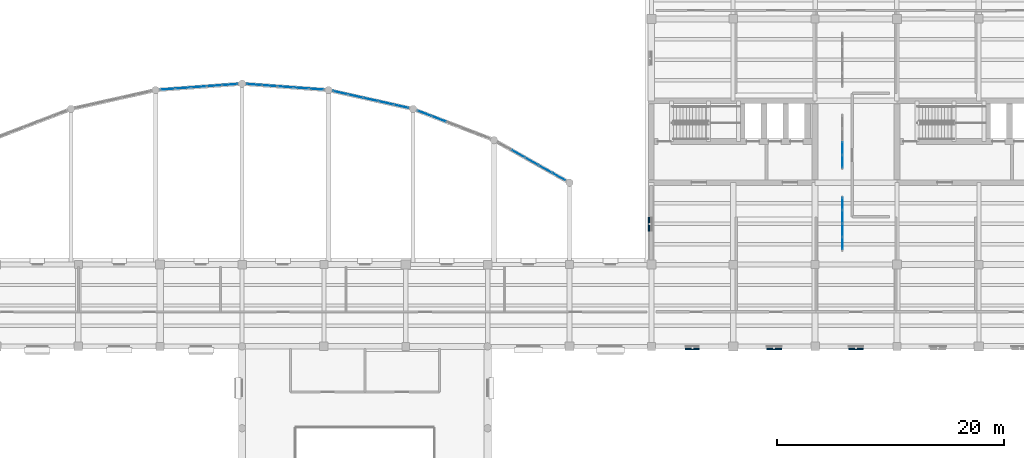
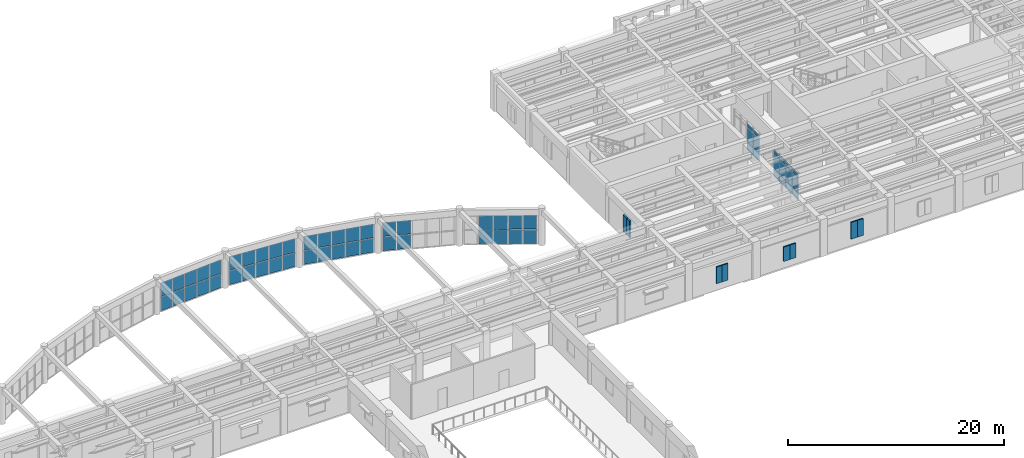
# One storey, part 42 of 76: 68 plates, 7 elements without a shape of their own.
"""IFC4 building model written with IfcOpenShell, lengths in metres."""

from ifc_helpers import new_model, si_unit, direction, frame, origin, origin_2d, place, context, subcontext, project, spatial, rectangle, extrude, material, layer, layer_set, type_object, element, aggregate, save


model = new_model("IFC4")

# Units and contexts
model_context = context("Model", 3, precision=1e-05, world=origin(), true_north=direction((0.0, 1.0)))
body_context = subcontext(model_context, "Body", "Model", "MODEL_VIEW")
ifc_project = project(units=[si_unit("LENGTHUNIT", "METRE"), si_unit("AREAUNIT", "SQUARE_METRE"), si_unit("VOLUMEUNIT", "CUBIC_METRE"), si_unit("PLANEANGLEUNIT", "RADIAN"), si_unit("MASSUNIT", "GRAM", prefix="KILO")], contexts=[model_context])

# Site, building, storey
site_placement = place(None, origin())
site = spatial("IfcSite", under=ifc_project, at=site_placement, CompositionType="ELEMENT")
building_placement = place(site_placement, origin())
building = spatial("IfcBuilding", under=site, at=building_placement, Name="Mithqara Police Headquarters", CompositionType="ELEMENT")
storey_placement = place(building_placement, frame((0.0, 0.0, 5.39990234375)))
storey = spatial("IfcBuildingStorey", under=building, at=storey_placement, Name="L01", CompositionType="ELEMENT", Elevation=5.39990234375)

# Curtain wall, plates
ifc_material_1 = material(Name="Bronze anodised aluminium 6063-T6", Category="aluminium")
curtain_wall_type_1 = type_object("IfcCurtainWallType", Name="CURTAIN WALL 6874X3300", PredefinedType="USERDEFINED", material=ifc_material_1)
curtain_wall_1_placement = place(storey_placement, origin())
curtain_wall_1 = element("IfcCurtainWall", 1, at=curtain_wall_1_placement, inside=storey, type_object=curtain_wall_type_1, Name="L01 Unitised Glazing CW-13 (CW-ARC-L01-03-0)", ObjectType="UNITISED GLAZING", PredefinedType="USERDEFINED")
ifc_material_2 = material(Name="Spectrally selective double low-e glass", Category="glass")
ifc_layer_1 = layer(ifc_material_2, 0.028076171875, Name="Spectrally selective double low-e glass")
ifc_layer_set_1 = layer_set([ifc_layer_1], Name="Spectrally selective double low-e glass")
plate_type_1 = type_object("IfcPlateType", Name="CWPANEL GLASS28", PredefinedType="CURTAIN_PANEL", material=ifc_layer_set_1)
plate_1_placement = place(storey_placement, frame((66.072265625, 101.223876953125, 0.06494140625), z_axis=(0.0, 0.0, 1.0), x_axis=(0.997309862064, 0.073301016565, 0.0)))
plate_1 = element("IfcPlate", 2, at=plate_1_placement, type_object=plate_type_1, Name="CW-13 panel 1.1", PredefinedType="CURTAIN_PANEL", context=body_context, shape_type="SweptSolid", body=[
    extrude(rectangle(XDim=1.27734375, YDim=0.028076171875, at=origin_2d()), origin(), (0.0, 0.0, 1.0), 1.552490234375),
])
plate_2_placement = place(storey_placement, frame((66.072265625, 101.223876953125, 1.6826171875), z_axis=(0.0, 0.0, 1.0), x_axis=(0.997309862064, 0.073301016565, 0.0)))
plate_2 = element("IfcPlate", 3, at=plate_2_placement, type_object=plate_type_1, Name="CW-13 panel 1.2", PredefinedType="CURTAIN_PANEL", context=body_context, shape_type="SweptSolid", body=[
    extrude(rectangle(XDim=1.27734375, YDim=0.028076171875, at=origin_2d()), origin(), (0.0, 0.0, 1.0), 1.552490234375),
])
plate_3_placement = place(storey_placement, frame((67.42724609375, 101.323486328125, 0.06494140625), z_axis=(0.0, 0.0, 1.0), x_axis=(0.997309862064, 0.073301016565, 0.0)))
plate_3 = element("IfcPlate", 4, at=plate_3_placement, type_object=plate_type_1, Name="CW-13 panel 2.1", PredefinedType="CURTAIN_PANEL", context=body_context, shape_type="SweptSolid", body=[
    extrude(rectangle(XDim=1.309814453125, YDim=0.028076171875, at=origin_2d()), origin(), (0.0, 0.0, 1.0), 1.552490234375),
])
plate_4_placement = place(storey_placement, frame((67.42724609375, 101.323486328125, 1.6826171875), z_axis=(0.0, 0.0, 1.0), x_axis=(0.997309862064, 0.073301016565, 0.0)))
plate_4 = element("IfcPlate", 5, at=plate_4_placement, type_object=plate_type_1, Name="CW-13 panel 2.2", PredefinedType="CURTAIN_PANEL", context=body_context, shape_type="SweptSolid", body=[
    extrude(rectangle(XDim=1.309814453125, YDim=0.028076171875, at=origin_2d()), origin(), (0.0, 0.0, 1.0), 1.552490234375),
])
plate_5_placement = place(storey_placement, frame((68.79833984375, 101.42431640625, 0.06494140625), z_axis=(0.0, 0.0, 1.0), x_axis=(0.997309862064, 0.073301016565, 0.0)))
plate_5 = element("IfcPlate", 6, at=plate_5_placement, type_object=plate_type_1, Name="CW-13 panel 3.1", PredefinedType="CURTAIN_PANEL", context=body_context, shape_type="SweptSolid", body=[
    extrude(rectangle(XDim=1.309814453125, YDim=0.028076171875, at=origin_2d()), origin(), (0.0, 0.0, 1.0), 1.552490234375),
])
plate_6_placement = place(storey_placement, frame((68.79833984375, 101.42431640625, 1.6826171875), z_axis=(0.0, 0.0, 1.0), x_axis=(0.997309862064, 0.073301016565, 0.0)))
plate_6 = element("IfcPlate", 7, at=plate_6_placement, type_object=plate_type_1, Name="CW-13 panel 3.2", PredefinedType="CURTAIN_PANEL", context=body_context, shape_type="SweptSolid", body=[
    extrude(rectangle(XDim=1.309814453125, YDim=0.028076171875, at=origin_2d()), origin(), (0.0, 0.0, 1.0), 1.552490234375),
])
plate_7_placement = place(storey_placement, frame((70.16943359375, 101.525146484375, 0.06494140625), z_axis=(0.0, 0.0, 1.0), x_axis=(0.997309862064, 0.073301016565, 0.0)))
plate_7 = element("IfcPlate", 8, at=plate_7_placement, type_object=plate_type_1, Name="CW-13 panel 4.1", PredefinedType="CURTAIN_PANEL", context=body_context, shape_type="SweptSolid", body=[
    extrude(rectangle(XDim=1.309814453125, YDim=0.028076171875, at=origin_2d()), origin(), (0.0, 0.0, 1.0), 1.552490234375),
])
plate_8_placement = place(storey_placement, frame((70.16943359375, 101.525146484375, 1.6826171875), z_axis=(0.0, 0.0, 1.0), x_axis=(0.997309862064, 0.073301016565, 0.0)))
plate_8 = element("IfcPlate", 9, at=plate_8_placement, type_object=plate_type_1, Name="CW-13 panel 4.2", PredefinedType="CURTAIN_PANEL", context=body_context, shape_type="SweptSolid", body=[
    extrude(rectangle(XDim=1.309814453125, YDim=0.028076171875, at=origin_2d()), origin(), (0.0, 0.0, 1.0), 1.552490234375),
])
plate_9_placement = place(storey_placement, frame((71.5244140625, 101.624755859375, 0.06494140625), z_axis=(0.0, 0.0, 1.0), x_axis=(0.997309862064, 0.073301016565, 0.0)))
plate_9 = element("IfcPlate", 10, at=plate_9_placement, type_object=plate_type_1, Name="CW-13 panel 5.1", PredefinedType="CURTAIN_PANEL", context=body_context, shape_type="SweptSolid", body=[
    extrude(rectangle(XDim=1.27734375, YDim=0.028076171875, at=origin_2d()), origin(), (0.0, 0.0, 1.0), 1.552490234375),
])
plate_10_placement = place(storey_placement, frame((71.5244140625, 101.624755859375, 1.6826171875), z_axis=(0.0, 0.0, 1.0), x_axis=(0.997309862064, 0.073301016565, 0.0)))
plate_10 = element("IfcPlate", 11, at=plate_10_placement, type_object=plate_type_1, Name="CW-13 panel 5.2", PredefinedType="CURTAIN_PANEL", context=body_context, shape_type="SweptSolid", body=[
    extrude(rectangle(XDim=1.27734375, YDim=0.028076171875, at=origin_2d()), origin(), (0.0, 0.0, 1.0), 1.552490234375),
])
aggregate(curtain_wall_1, [plate_1, plate_2, plate_3, plate_4, plate_5, plate_6, plate_7, plate_8, plate_9, plate_10])

curtain_wall_2_placement = place(storey_placement, origin())
curtain_wall_2 = element("IfcCurtainWall", 12, at=curtain_wall_2_placement, inside=storey, type_object=curtain_wall_type_1, Name="L01 Unitised Glazing CW-13 (CW-ARC-L01-04-0)", ObjectType="UNITISED GLAZING", PredefinedType="USERDEFINED")
plate_11_placement = place(storey_placement, frame((73.675537109375, 101.624755859375, 0.06494140625), z_axis=(0.0, 0.0, 1.0), x_axis=(0.997309862064, -0.073301016565, 0.0)))
plate_11 = element("IfcPlate", 13, at=plate_11_placement, type_object=plate_type_1, Name="CW-13 panel 1.1", PredefinedType="CURTAIN_PANEL", context=body_context, shape_type="SweptSolid", body=[
    extrude(rectangle(XDim=1.27734375, YDim=0.028076171875, at=origin_2d()), origin(), (0.0, 0.0, 1.0), 1.552490234375),
])
plate_12_placement = place(storey_placement, frame((73.675537109375, 101.624755859375, 1.6826171875), z_axis=(0.0, 0.0, 1.0), x_axis=(0.997309862064, -0.073301016565, 0.0)))
plate_12 = element("IfcPlate", 14, at=plate_12_placement, type_object=plate_type_1, Name="CW-13 panel 1.2", PredefinedType="CURTAIN_PANEL", context=body_context, shape_type="SweptSolid", body=[
    extrude(rectangle(XDim=1.27734375, YDim=0.028076171875, at=origin_2d()), origin(), (0.0, 0.0, 1.0), 1.552490234375),
])
plate_13_placement = place(storey_placement, frame((75.030517578125, 101.525146484375, 0.06494140625), z_axis=(0.0, 0.0, 1.0), x_axis=(0.997309862064, -0.073301016565, 0.0)))
plate_13 = element("IfcPlate", 15, at=plate_13_placement, type_object=plate_type_1, Name="CW-13 panel 2.1", PredefinedType="CURTAIN_PANEL", context=body_context, shape_type="SweptSolid", body=[
    extrude(rectangle(XDim=1.309814453125, YDim=0.028076171875, at=origin_2d()), origin(), (0.0, 0.0, 1.0), 1.552490234375),
])
plate_14_placement = place(storey_placement, frame((75.030517578125, 101.525146484375, 1.6826171875), z_axis=(0.0, 0.0, 1.0), x_axis=(0.997309862064, -0.073301016565, 0.0)))
plate_14 = element("IfcPlate", 16, at=plate_14_placement, type_object=plate_type_1, Name="CW-13 panel 2.2", PredefinedType="CURTAIN_PANEL", context=body_context, shape_type="SweptSolid", body=[
    extrude(rectangle(XDim=1.309814453125, YDim=0.028076171875, at=origin_2d()), origin(), (0.0, 0.0, 1.0), 1.552490234375),
])
plate_15_placement = place(storey_placement, frame((76.401611328125, 101.42431640625, 0.06494140625), z_axis=(0.0, 0.0, 1.0), x_axis=(0.997309862064, -0.073301016565, 0.0)))
plate_15 = element("IfcPlate", 17, at=plate_15_placement, type_object=plate_type_1, Name="CW-13 panel 3.1", PredefinedType="CURTAIN_PANEL", context=body_context, shape_type="SweptSolid", body=[
    extrude(rectangle(XDim=1.309814453125, YDim=0.028076171875, at=origin_2d()), origin(), (0.0, 0.0, 1.0), 1.552490234375),
])
plate_16_placement = place(storey_placement, frame((76.401611328125, 101.42431640625, 1.6826171875), z_axis=(0.0, 0.0, 1.0), x_axis=(0.997309862064, -0.073301016565, 0.0)))
plate_16 = element("IfcPlate", 18, at=plate_16_placement, type_object=plate_type_1, Name="CW-13 panel 3.2", PredefinedType="CURTAIN_PANEL", context=body_context, shape_type="SweptSolid", body=[
    extrude(rectangle(XDim=1.309814453125, YDim=0.028076171875, at=origin_2d()), origin(), (0.0, 0.0, 1.0), 1.552490234375),
])
plate_17_placement = place(storey_placement, frame((77.77294921875, 101.323486328125, 0.06494140625), z_axis=(0.0, 0.0, 1.0), x_axis=(0.997309862064, -0.073301016565, 0.0)))
plate_17 = element("IfcPlate", 19, at=plate_17_placement, type_object=plate_type_1, Name="CW-13 panel 4.1", PredefinedType="CURTAIN_PANEL", context=body_context, shape_type="SweptSolid", body=[
    extrude(rectangle(XDim=1.309814453125, YDim=0.028076171875, at=origin_2d()), origin(), (0.0, 0.0, 1.0), 1.552490234375),
])
plate_18_placement = place(storey_placement, frame((77.77294921875, 101.323486328125, 1.6826171875), z_axis=(0.0, 0.0, 1.0), x_axis=(0.997309862064, -0.073301016565, 0.0)))
plate_18 = element("IfcPlate", 20, at=plate_18_placement, type_object=plate_type_1, Name="CW-13 panel 4.2", PredefinedType="CURTAIN_PANEL", context=body_context, shape_type="SweptSolid", body=[
    extrude(rectangle(XDim=1.309814453125, YDim=0.028076171875, at=origin_2d()), origin(), (0.0, 0.0, 1.0), 1.552490234375),
])
plate_19_placement = place(storey_placement, frame((79.127685546875, 101.223876953125, 0.06494140625), z_axis=(0.0, 0.0, 1.0), x_axis=(0.997309862064, -0.073301016565, 0.0)))
plate_19 = element("IfcPlate", 21, at=plate_19_placement, type_object=plate_type_1, Name="CW-13 panel 5.1", PredefinedType="CURTAIN_PANEL", context=body_context, shape_type="SweptSolid", body=[
    extrude(rectangle(XDim=1.27734375, YDim=0.028076171875, at=origin_2d()), origin(), (0.0, 0.0, 1.0), 1.552490234375),
])
plate_20_placement = place(storey_placement, frame((79.127685546875, 101.223876953125, 1.6826171875), z_axis=(0.0, 0.0, 1.0), x_axis=(0.997309862064, -0.073301016565, 0.0)))
plate_20 = element("IfcPlate", 22, at=plate_20_placement, type_object=plate_type_1, Name="CW-13 panel 5.2", PredefinedType="CURTAIN_PANEL", context=body_context, shape_type="SweptSolid", body=[
    extrude(rectangle(XDim=1.27734375, YDim=0.028076171875, at=origin_2d()), origin(), (0.0, 0.0, 1.0), 1.552490234375),
])
aggregate(curtain_wall_2, [plate_11, plate_12, plate_13, plate_14, plate_15, plate_16, plate_17, plate_18, plate_19, plate_20])

curtain_wall_type_2 = type_object("IfcCurtainWallType", Name="CURTAIN WALL 6875X3300", PredefinedType="USERDEFINED", material=ifc_material_1)
curtain_wall_3_placement = place(storey_placement, origin())
curtain_wall_3 = element("IfcCurtainWall", 23, at=curtain_wall_3_placement, inside=storey, type_object=curtain_wall_type_2, Name="L01 Unitised Glazing CW-12 (CW-ARC-L01-05-0)", ObjectType="UNITISED GLAZING", PredefinedType="USERDEFINED")
plate_21_placement = place(storey_placement, frame((81.255615234375, 100.909423828125, 0.06494140625), z_axis=(0.0, 0.0, 1.0), x_axis=(0.975872523567, -0.218341058316, 0.0)))
plate_21 = element("IfcPlate", 24, at=plate_21_placement, type_object=plate_type_1, Name="CW-12 panel 1.1", PredefinedType="CURTAIN_PANEL", context=body_context, shape_type="SweptSolid", body=[
    extrude(rectangle(XDim=1.27734375, YDim=0.028076171875, at=origin_2d()), origin(), (0.0, 0.0, 1.0), 1.552490234375),
])
plate_22_placement = place(storey_placement, frame((81.255615234375, 100.909423828125, 1.6826171875), z_axis=(0.0, 0.0, 1.0), x_axis=(0.975872523567, -0.218341058316, 0.0)))
plate_22 = element("IfcPlate", 25, at=plate_22_placement, type_object=plate_type_1, Name="CW-12 panel 1.2", PredefinedType="CURTAIN_PANEL", context=body_context, shape_type="SweptSolid", body=[
    extrude(rectangle(XDim=1.27734375, YDim=0.028076171875, at=origin_2d()), origin(), (0.0, 0.0, 1.0), 1.552490234375),
])
plate_23_placement = place(storey_placement, frame((82.58154296875, 100.61279296875, 0.06494140625), z_axis=(0.0, 0.0, 1.0), x_axis=(0.975872523567, -0.218341058316, 0.0)))
plate_23 = element("IfcPlate", 26, at=plate_23_placement, type_object=plate_type_1, Name="CW-12 panel 2.1", PredefinedType="CURTAIN_PANEL", context=body_context, shape_type="SweptSolid", body=[
    extrude(rectangle(XDim=1.309814453125, YDim=0.028076171875, at=origin_2d()), origin(), (0.0, 0.0, 1.0), 1.552490234375),
])
plate_24_placement = place(storey_placement, frame((82.58154296875, 100.61279296875, 1.6826171875), z_axis=(0.0, 0.0, 1.0), x_axis=(0.975872523567, -0.218341058316, 0.0)))
plate_24 = element("IfcPlate", 27, at=plate_24_placement, type_object=plate_type_1, Name="CW-12 panel 2.2", PredefinedType="CURTAIN_PANEL", context=body_context, shape_type="SweptSolid", body=[
    extrude(rectangle(XDim=1.309814453125, YDim=0.028076171875, at=origin_2d()), origin(), (0.0, 0.0, 1.0), 1.552490234375),
])
plate_25_placement = place(storey_placement, frame((83.92333984375, 100.3125, 0.06494140625), z_axis=(0.0, 0.0, 1.0), x_axis=(0.975872523567, -0.218341058316, 0.0)))
plate_25 = element("IfcPlate", 28, at=plate_25_placement, type_object=plate_type_1, Name="CW-12 panel 3.1", PredefinedType="CURTAIN_PANEL", context=body_context, shape_type="SweptSolid", body=[
    extrude(rectangle(XDim=1.309814453125, YDim=0.028076171875, at=origin_2d()), origin(), (0.0, 0.0, 1.0), 1.552490234375),
])
plate_26_placement = place(storey_placement, frame((83.92333984375, 100.3125, 1.6826171875), z_axis=(0.0, 0.0, 1.0), x_axis=(0.975872523567, -0.218341058316, 0.0)))
plate_26 = element("IfcPlate", 29, at=plate_26_placement, type_object=plate_type_1, Name="CW-12 panel 3.2", PredefinedType="CURTAIN_PANEL", context=body_context, shape_type="SweptSolid", body=[
    extrude(rectangle(XDim=1.309814453125, YDim=0.028076171875, at=origin_2d()), origin(), (0.0, 0.0, 1.0), 1.552490234375),
])
plate_27_placement = place(storey_placement, frame((85.264892578125, 100.012451171875, 0.06494140625), z_axis=(0.0, 0.0, 1.0), x_axis=(0.975872523567, -0.218341058316, 0.0)))
plate_27 = element("IfcPlate", 30, at=plate_27_placement, type_object=plate_type_1, Name="CW-12 panel 4.1", PredefinedType="CURTAIN_PANEL", context=body_context, shape_type="SweptSolid", body=[
    extrude(rectangle(XDim=1.309814453125, YDim=0.028076171875, at=origin_2d()), origin(), (0.0, 0.0, 1.0), 1.552490234375),
])
plate_28_placement = place(storey_placement, frame((85.264892578125, 100.012451171875, 1.6826171875), z_axis=(0.0, 0.0, 1.0), x_axis=(0.975872523567, -0.218341058316, 0.0)))
plate_28 = element("IfcPlate", 31, at=plate_28_placement, type_object=plate_type_1, Name="CW-12 panel 4.2", PredefinedType="CURTAIN_PANEL", context=body_context, shape_type="SweptSolid", body=[
    extrude(rectangle(XDim=1.309814453125, YDim=0.028076171875, at=origin_2d()), origin(), (0.0, 0.0, 1.0), 1.552490234375),
])
plate_29_placement = place(storey_placement, frame((86.5908203125, 99.7158203125, 0.06494140625), z_axis=(0.0, 0.0, 1.0), x_axis=(0.975872523567, -0.218341058316, 0.0)))
plate_29 = element("IfcPlate", 32, at=plate_29_placement, type_object=plate_type_1, Name="CW-12 panel 5.1", PredefinedType="CURTAIN_PANEL", context=body_context, shape_type="SweptSolid", body=[
    extrude(rectangle(XDim=1.27734375, YDim=0.028076171875, at=origin_2d()), origin(), (0.0, 0.0, 1.0), 1.552490234375),
])
plate_30_placement = place(storey_placement, frame((86.5908203125, 99.7158203125, 1.6826171875), z_axis=(0.0, 0.0, 1.0), x_axis=(0.975872523567, -0.218341058316, 0.0)))
plate_30 = element("IfcPlate", 33, at=plate_30_placement, type_object=plate_type_1, Name="CW-12 panel 5.2", PredefinedType="CURTAIN_PANEL", context=body_context, shape_type="SweptSolid", body=[
    extrude(rectangle(XDim=1.27734375, YDim=0.028076171875, at=origin_2d()), origin(), (0.0, 0.0, 1.0), 1.552490234375),
])
aggregate(curtain_wall_3, [plate_21, plate_22, plate_23, plate_24, plate_25, plate_26, plate_27, plate_28, plate_29, plate_30])

curtain_wall_4_placement = place(storey_placement, origin())
curtain_wall_4 = element("IfcCurtainWall", 34, at=curtain_wall_4_placement, inside=storey, type_object=curtain_wall_type_2, Name="L01 Unitised Glazing CW-12 (CW-ARC-L01-06-0)", ObjectType="UNITISED GLAZING", PredefinedType="USERDEFINED")
plate_31_placement = place(storey_placement, frame((88.64990234375, 99.093505859375, 0.06494140625), z_axis=(0.0, 0.0, 1.0), x_axis=(0.933460278765, -0.358680788402, 0.0)))
plate_31 = element("IfcPlate", 35, at=plate_31_placement, type_object=plate_type_1, Name="CW-12 panel 1.1", PredefinedType="CURTAIN_PANEL", context=body_context, shape_type="SweptSolid", body=[
    extrude(rectangle(XDim=1.27734375, YDim=0.028076171875, at=origin_2d()), origin(), (0.0, 0.0, 1.0), 1.552490234375),
])
plate_32_placement = place(storey_placement, frame((88.64990234375, 99.093505859375, 1.6826171875), z_axis=(0.0, 0.0, 1.0), x_axis=(0.933460278765, -0.358680788402, 0.0)))
plate_32 = element("IfcPlate", 36, at=plate_32_placement, type_object=plate_type_1, Name="CW-12 panel 1.2", PredefinedType="CURTAIN_PANEL", context=body_context, shape_type="SweptSolid", body=[
    extrude(rectangle(XDim=1.27734375, YDim=0.028076171875, at=origin_2d()), origin(), (0.0, 0.0, 1.0), 1.552490234375),
])
plate_33_placement = place(storey_placement, frame((89.91796875, 98.606201171875, 0.06494140625), z_axis=(0.0, 0.0, 1.0), x_axis=(0.933460278765, -0.358680788402, 0.0)))
plate_33 = element("IfcPlate", 37, at=plate_33_placement, type_object=plate_type_1, Name="CW-12 panel 2.1", PredefinedType="CURTAIN_PANEL", context=body_context, shape_type="SweptSolid", body=[
    extrude(rectangle(XDim=1.309814453125, YDim=0.028076171875, at=origin_2d()), origin(), (0.0, 0.0, 1.0), 1.552490234375),
])
plate_34_placement = place(storey_placement, frame((89.91796875, 98.606201171875, 1.6826171875), z_axis=(0.0, 0.0, 1.0), x_axis=(0.933460278765, -0.358680788402, 0.0)))
plate_34 = element("IfcPlate", 38, at=plate_34_placement, type_object=plate_type_1, Name="CW-12 panel 2.2", PredefinedType="CURTAIN_PANEL", context=body_context, shape_type="SweptSolid", body=[
    extrude(rectangle(XDim=1.309814453125, YDim=0.028076171875, at=origin_2d()), origin(), (0.0, 0.0, 1.0), 1.552490234375),
])
aggregate(curtain_wall_4, [plate_31, plate_32, plate_33, plate_34])

curtain_wall_5_placement = place(storey_placement, origin())
curtain_wall_5 = element("IfcCurtainWall", 39, at=curtain_wall_5_placement, inside=storey, type_object=curtain_wall_type_2, Name="L01 Unitised Glazing CW-12 (CW-ARC-L01-07-0)", ObjectType="UNITISED GLAZING", PredefinedType="USERDEFINED")
plate_35_placement = place(storey_placement, frame((96.88232421875, 95.54833984375, 0.06494140625), z_axis=(0.0, 0.0, 1.0), x_axis=(0.870985969427, -0.491307888255, 0.0)))
plate_35 = element("IfcPlate", 40, at=plate_35_placement, type_object=plate_type_1, Name="CW-12 panel 2.1", PredefinedType="CURTAIN_PANEL", context=body_context, shape_type="SweptSolid", body=[
    extrude(rectangle(XDim=1.309814453125, YDim=0.028076171875, at=origin_2d()), origin(), (0.0, 0.0, 1.0), 1.552490234375),
])
plate_36_placement = place(storey_placement, frame((96.88232421875, 95.54833984375, 1.6826171875), z_axis=(0.0, 0.0, 1.0), x_axis=(0.870985969427, -0.491307888255, 0.0)))
plate_36 = element("IfcPlate", 41, at=plate_36_placement, type_object=plate_type_1, Name="CW-12 panel 2.2", PredefinedType="CURTAIN_PANEL", context=body_context, shape_type="SweptSolid", body=[
    extrude(rectangle(XDim=1.309814453125, YDim=0.028076171875, at=origin_2d()), origin(), (0.0, 0.0, 1.0), 1.552490234375),
])
plate_37_placement = place(storey_placement, frame((98.079833984375, 94.872802734375, 0.06494140625), z_axis=(0.0, 0.0, 1.0), x_axis=(0.870985969427, -0.491307888255, 0.0)))
plate_37 = element("IfcPlate", 42, at=plate_37_placement, type_object=plate_type_1, Name="CW-12 panel 3.1", PredefinedType="CURTAIN_PANEL", context=body_context, shape_type="SweptSolid", body=[
    extrude(rectangle(XDim=1.309814453125, YDim=0.028076171875, at=origin_2d()), origin(), (0.0, 0.0, 1.0), 1.552490234375),
])
plate_38_placement = place(storey_placement, frame((98.079833984375, 94.872802734375, 1.6826171875), z_axis=(0.0, 0.0, 1.0), x_axis=(0.870985969427, -0.491307888255, 0.0)))
plate_38 = element("IfcPlate", 43, at=plate_38_placement, type_object=plate_type_1, Name="CW-12 panel 3.2", PredefinedType="CURTAIN_PANEL", context=body_context, shape_type="SweptSolid", body=[
    extrude(rectangle(XDim=1.309814453125, YDim=0.028076171875, at=origin_2d()), origin(), (0.0, 0.0, 1.0), 1.552490234375),
])
plate_39_placement = place(storey_placement, frame((99.27734375, 94.197265625, 0.06494140625), z_axis=(0.0, 0.0, 1.0), x_axis=(0.870985969427, -0.491307888255, 0.0)))
plate_39 = element("IfcPlate", 44, at=plate_39_placement, type_object=plate_type_1, Name="CW-12 panel 4.1", PredefinedType="CURTAIN_PANEL", context=body_context, shape_type="SweptSolid", body=[
    extrude(rectangle(XDim=1.309814453125, YDim=0.028076171875, at=origin_2d()), origin(), (0.0, 0.0, 1.0), 1.552490234375),
])
plate_40_placement = place(storey_placement, frame((99.27734375, 94.197265625, 1.6826171875), z_axis=(0.0, 0.0, 1.0), x_axis=(0.870985969427, -0.491307888255, 0.0)))
plate_40 = element("IfcPlate", 45, at=plate_40_placement, type_object=plate_type_1, Name="CW-12 panel 4.2", PredefinedType="CURTAIN_PANEL", context=body_context, shape_type="SweptSolid", body=[
    extrude(rectangle(XDim=1.309814453125, YDim=0.028076171875, at=origin_2d()), origin(), (0.0, 0.0, 1.0), 1.552490234375),
])
plate_41_placement = place(storey_placement, frame((100.460693359375, 93.52978515625, 0.06494140625), z_axis=(0.0, 0.0, 1.0), x_axis=(0.870985969427, -0.491307888255, 0.0)))
plate_41 = element("IfcPlate", 46, at=plate_41_placement, type_object=plate_type_1, Name="CW-12 panel 5.1", PredefinedType="CURTAIN_PANEL", context=body_context, shape_type="SweptSolid", body=[
    extrude(rectangle(XDim=1.27734375, YDim=0.028076171875, at=origin_2d()), origin(), (0.0, 0.0, 1.0), 1.552490234375),
])
plate_42_placement = place(storey_placement, frame((100.460693359375, 93.52978515625, 1.6826171875), z_axis=(0.0, 0.0, 1.0), x_axis=(0.870985969427, -0.491307888255, 0.0)))
plate_42 = element("IfcPlate", 47, at=plate_42_placement, type_object=plate_type_1, Name="CW-12 panel 5.2", PredefinedType="CURTAIN_PANEL", context=body_context, shape_type="SweptSolid", body=[
    extrude(rectangle(XDim=1.27734375, YDim=0.028076171875, at=origin_2d()), origin(), (0.0, 0.0, 1.0), 1.552490234375),
])
aggregate(curtain_wall_5, [plate_35, plate_36, plate_37, plate_38, plate_39, plate_40, plate_41, plate_42])

curtain_wall_type_3 = type_object("IfcCurtainWallType", Name="CURTAIN WALL 4700X3200", PredefinedType="USERDEFINED", material=ifc_material_1)
curtain_wall_6_placement = place(storey_placement, origin())
curtain_wall_6 = element("IfcCurtainWall", 48, at=curtain_wall_6_placement, inside=storey, type_object=curtain_wall_type_3, Name="L01 Unitised Glazing CW-15 (CW-INT-L01-X17-Y13-0)", ObjectType="UNITISED GLAZING", PredefinedType="USERDEFINED")
plate_43_placement = place(storey_placement, frame((125.39990234375, 94.856201171875, 0.074951171875), z_axis=(0.0, 0.0, 1.0), x_axis=(0.0, 1.0, 0.0)))
plate_43 = element("IfcPlate", 49, at=plate_43_placement, type_object=plate_type_1, Name="CW-15 panel 1.1", PredefinedType="CURTAIN_PANEL", context=body_context, shape_type="SweptSolid", body=[
    extrude(rectangle(XDim=1.0625, YDim=0.028076171875, at=origin_2d()), origin(), (0.0, 0.0, 1.0), 0.78759765625),
])
plate_44_placement = place(storey_placement, frame((125.39990234375, 94.856201171875, 0.9375), z_axis=(0.0, 0.0, 1.0), x_axis=(0.0, 1.0, 0.0)))
plate_44 = element("IfcPlate", 50, at=plate_44_placement, type_object=plate_type_1, Name="CW-15 panel 1.2", PredefinedType="CURTAIN_PANEL", context=body_context, shape_type="SweptSolid", body=[
    extrude(rectangle(XDim=1.0625, YDim=0.028076171875, at=origin_2d()), origin(), (0.0, 0.0, 1.0), 1.675048828125),
])
plate_45_placement = place(storey_placement, frame((125.39990234375, 94.856201171875, 2.6875), z_axis=(0.0, 0.0, 1.0), x_axis=(0.0, 1.0, 0.0)))
plate_45 = element("IfcPlate", 51, at=plate_45_placement, type_object=plate_type_1, Name="CW-15 panel 1.3", PredefinedType="CURTAIN_PANEL", context=body_context, shape_type="SweptSolid", body=[
    extrude(rectangle(XDim=1.0625, YDim=0.028076171875, at=origin_2d()), origin(), (0.0, 0.0, 1.0), 0.4375),
])
plate_46_placement = place(storey_placement, frame((125.39990234375, 96.012451171875, 0.074951171875), z_axis=(0.0, 0.0, 1.0), x_axis=(0.0, 1.0, 0.0)))
plate_46 = element("IfcPlate", 52, at=plate_46_placement, type_object=plate_type_1, Name="CW-15 panel 2.1", PredefinedType="CURTAIN_PANEL", context=body_context, shape_type="SweptSolid", body=[
    extrude(rectangle(XDim=1.10009765625, YDim=0.028076171875, at=origin_2d()), origin(), (0.0, 0.0, 1.0), 0.78759765625),
])
plate_47_placement = place(storey_placement, frame((125.39990234375, 96.012451171875, 0.9375), z_axis=(0.0, 0.0, 1.0), x_axis=(0.0, 1.0, 0.0)))
plate_47 = element("IfcPlate", 53, at=plate_47_placement, type_object=plate_type_1, Name="CW-15 panel 2.2", PredefinedType="CURTAIN_PANEL", context=body_context, shape_type="SweptSolid", body=[
    extrude(rectangle(XDim=1.10009765625, YDim=0.028076171875, at=origin_2d()), origin(), (0.0, 0.0, 1.0), 1.675048828125),
])
plate_48_placement = place(storey_placement, frame((125.39990234375, 96.012451171875, 2.6875), z_axis=(0.0, 0.0, 1.0), x_axis=(0.0, 1.0, 0.0)))
plate_48 = element("IfcPlate", 54, at=plate_48_placement, type_object=plate_type_1, Name="CW-15 panel 2.3", PredefinedType="CURTAIN_PANEL", context=body_context, shape_type="SweptSolid", body=[
    extrude(rectangle(XDim=1.10009765625, YDim=0.028076171875, at=origin_2d()), origin(), (0.0, 0.0, 1.0), 0.4375),
])
aggregate(curtain_wall_6, [plate_43, plate_44, plate_45, plate_46, plate_47, plate_48])

curtain_wall_7_placement = place(storey_placement, origin())
curtain_wall_7 = element("IfcCurtainWall", 55, at=curtain_wall_7_placement, inside=storey, type_object=curtain_wall_type_3, Name="L01 Unitised Glazing CW-15 (CW-INT-L01-X17-Y12-0)", ObjectType="UNITISED GLAZING", PredefinedType="USERDEFINED")
ifc_material_3 = material(Name="Insulated bronze aluminium spandrel panel", Category="aluminium")
ifc_layer_2 = layer(ifc_material_3, 0.048095703125, Name="Insulated bronze aluminium spandrel panel")
ifc_layer_set_2 = layer_set([ifc_layer_2], Name="Insulated bronze aluminium spandrel panel")
plate_type_2 = type_object("IfcPlateType", Name="CWPANEL SPANDREL48", PredefinedType="CURTAIN_PANEL", material=ifc_layer_set_2)
plate_49_placement = place(storey_placement, frame((125.39990234375, 87.65625, 0.074951171875), z_axis=(0.0, 0.0, 1.0), x_axis=(0.0, 1.0, 0.0)))
plate_49 = element("IfcPlate", 56, at=plate_49_placement, type_object=plate_type_2, Name="CW-15 panel 1.1", PredefinedType="CURTAIN_PANEL", context=body_context, shape_type="SweptSolid", body=[
    extrude(rectangle(XDim=1.0625, YDim=0.048095703125, at=origin_2d()), origin(), (0.0, 0.0, 1.0), 0.78759765625),
])
plate_50_placement = place(storey_placement, frame((125.39990234375, 87.65625, 0.9375), z_axis=(0.0, 0.0, 1.0), x_axis=(0.0, 1.0, 0.0)))
plate_50 = element("IfcPlate", 57, at=plate_50_placement, type_object=plate_type_2, Name="CW-15 panel 1.2", PredefinedType="CURTAIN_PANEL", context=body_context, shape_type="SweptSolid", body=[
    extrude(rectangle(XDim=1.0625, YDim=0.048095703125, at=origin_2d()), origin(), (0.0, 0.0, 1.0), 1.675048828125),
])
plate_51_placement = place(storey_placement, frame((125.39990234375, 87.65625, 2.6875), z_axis=(0.0, 0.0, 1.0), x_axis=(0.0, 1.0, 0.0)))
plate_51 = element("IfcPlate", 58, at=plate_51_placement, type_object=plate_type_2, Name="CW-15 panel 1.3", PredefinedType="CURTAIN_PANEL", context=body_context, shape_type="SweptSolid", body=[
    extrude(rectangle(XDim=1.0625, YDim=0.048095703125, at=origin_2d()), origin(), (0.0, 0.0, 1.0), 0.4375),
])
plate_52_placement = place(storey_placement, frame((125.39990234375, 88.8125, 0.074951171875), z_axis=(0.0, 0.0, 1.0), x_axis=(0.0, 1.0, 0.0)))
plate_52 = element("IfcPlate", 59, at=plate_52_placement, type_object=plate_type_2, Name="CW-15 panel 2.1", PredefinedType="CURTAIN_PANEL", context=body_context, shape_type="SweptSolid", body=[
    extrude(rectangle(XDim=1.10009765625, YDim=0.048095703125, at=origin_2d()), origin(), (0.0, 0.0, 1.0), 0.78759765625),
])
plate_53_placement = place(storey_placement, frame((125.39990234375, 88.8125, 0.9375), z_axis=(0.0, 0.0, 1.0), x_axis=(0.0, 1.0, 0.0)))
plate_53 = element("IfcPlate", 60, at=plate_53_placement, type_object=plate_type_2, Name="CW-15 panel 2.2", PredefinedType="CURTAIN_PANEL", context=body_context, shape_type="SweptSolid", body=[
    extrude(rectangle(XDim=1.10009765625, YDim=0.048095703125, at=origin_2d()), origin(), (0.0, 0.0, 1.0), 1.675048828125),
])
plate_54_placement = place(storey_placement, frame((125.39990234375, 88.8125, 2.6875), z_axis=(0.0, 0.0, 1.0), x_axis=(0.0, 1.0, 0.0)))
plate_54 = element("IfcPlate", 61, at=plate_54_placement, type_object=plate_type_2, Name="CW-15 panel 2.3", PredefinedType="CURTAIN_PANEL", context=body_context, shape_type="SweptSolid", body=[
    extrude(rectangle(XDim=1.10009765625, YDim=0.048095703125, at=origin_2d()), origin(), (0.0, 0.0, 1.0), 0.4375),
])
plate_55_placement = place(storey_placement, frame((125.39990234375, 89.987548828125, 0.074951171875), z_axis=(0.0, 0.0, 1.0), x_axis=(0.0, 1.0, 0.0)))
plate_55 = element("IfcPlate", 62, at=plate_55_placement, type_object=plate_type_2, Name="CW-15 panel 3.1", PredefinedType="CURTAIN_PANEL", context=body_context, shape_type="SweptSolid", body=[
    extrude(rectangle(XDim=1.10009765625, YDim=0.048095703125, at=origin_2d()), origin(), (0.0, 0.0, 1.0), 0.78759765625),
])
plate_56_placement = place(storey_placement, frame((125.39990234375, 89.987548828125, 0.9375), z_axis=(0.0, 0.0, 1.0), x_axis=(0.0, 1.0, 0.0)))
plate_56 = element("IfcPlate", 63, at=plate_56_placement, type_object=plate_type_2, Name="CW-15 panel 3.2", PredefinedType="CURTAIN_PANEL", context=body_context, shape_type="SweptSolid", body=[
    extrude(rectangle(XDim=1.10009765625, YDim=0.048095703125, at=origin_2d()), origin(), (0.0, 0.0, 1.0), 1.675048828125),
])
plate_57_placement = place(storey_placement, frame((125.39990234375, 89.987548828125, 2.6875), z_axis=(0.0, 0.0, 1.0), x_axis=(0.0, 1.0, 0.0)))
plate_57 = element("IfcPlate", 64, at=plate_57_placement, type_object=plate_type_2, Name="CW-15 panel 3.3", PredefinedType="CURTAIN_PANEL", context=body_context, shape_type="SweptSolid", body=[
    extrude(rectangle(XDim=1.10009765625, YDim=0.048095703125, at=origin_2d()), origin(), (0.0, 0.0, 1.0), 0.4375),
])
plate_58_placement = place(storey_placement, frame((125.39990234375, 91.143798828125, 0.074951171875), z_axis=(0.0, 0.0, 1.0), x_axis=(0.0, 1.0, 0.0)))
plate_58 = element("IfcPlate", 65, at=plate_58_placement, type_object=plate_type_2, Name="CW-15 panel 4.1", PredefinedType="CURTAIN_PANEL", context=body_context, shape_type="SweptSolid", body=[
    extrude(rectangle(XDim=1.0625, YDim=0.048095703125, at=origin_2d()), origin(), (0.0, 0.0, 1.0), 0.78759765625),
])
plate_59_placement = place(storey_placement, frame((125.39990234375, 91.143798828125, 0.9375), z_axis=(0.0, 0.0, 1.0), x_axis=(0.0, 1.0, 0.0)))
plate_59 = element("IfcPlate", 66, at=plate_59_placement, type_object=plate_type_2, Name="CW-15 panel 4.2", PredefinedType="CURTAIN_PANEL", context=body_context, shape_type="SweptSolid", body=[
    extrude(rectangle(XDim=1.0625, YDim=0.048095703125, at=origin_2d()), origin(), (0.0, 0.0, 1.0), 1.675048828125),
])
plate_60_placement = place(storey_placement, frame((125.39990234375, 91.143798828125, 2.6875), z_axis=(0.0, 0.0, 1.0), x_axis=(0.0, 1.0, 0.0)))
plate_60 = element("IfcPlate", 67, at=plate_60_placement, type_object=plate_type_2, Name="CW-15 panel 4.3", PredefinedType="CURTAIN_PANEL", context=body_context, shape_type="SweptSolid", body=[
    extrude(rectangle(XDim=1.0625, YDim=0.048095703125, at=origin_2d()), origin(), (0.0, 0.0, 1.0), 0.4375),
])
aggregate(curtain_wall_7, [plate_49, plate_50, plate_51, plate_52, plate_53, plate_54, plate_55, plate_56, plate_57, plate_58, plate_59, plate_60])

# Plates
ifc_material_4 = material(Name="Limestone ashlar masonry, 45 MPa", Category="masonry")
ifc_layer_3 = layer(ifc_material_4, 0.139892578125, Name="Limestone ashlar masonry, 45 MPa")
ifc_layer_set_3 = layer_set([ifc_layer_3], Name="Limestone ashlar masonry, 45 MPa")
plate_type_3 = type_object("IfcPlateType", Name="STONE SCREEN 140", PredefinedType="USERDEFINED", material=ifc_layer_set_3)
for number, where, z_axis, x_axis, name in (
    (68, (108.3798828125, 89.637451171875, 0.830078125), (0.0, 0.0, 1.0), (0.0, 1.0, 0.0), "L01 Pierced Limestone Vertical-Slit Panel 63"),
    (69, (108.3798828125, 89.0625, 0.830078125), (0.0, 0.0, 1.0), (0.0, 1.0, 0.0), "L01 Pierced Limestone Vertical-Slit Panel 64"),
    (70, (111.91259765625, 78.3798828125, 0.830078125), (0.0, 0.0, 1.0), (1.0, 0.0, 0.0), "L01 Pierced Limestone Vertical-Slit Panel 65"),
    (71, (112.487548828125, 78.3798828125, 0.830078125), (0.0, 0.0, 1.0), (1.0, 0.0, 0.0), "L01 Pierced Limestone Vertical-Slit Panel 66"),
):
    element("IfcPlate", number, at=place(storey_placement, frame(where, z_axis=z_axis, x_axis=x_axis)), inside=storey, type_object=plate_type_3, Name=name, ObjectType="STONE SCREEN", PredefinedType="USERDEFINED", context=body_context, shape_type="SweptSolid", body=[
        extrude(rectangle(XDim=0.656005859375, YDim=0.139892578125, at=origin_2d()), origin(), (0.0, 0.0, 1.0), 1.889892578125),
    ])
for number, where, z_axis, x_axis, name in (
    (72, (119.074951171875, 78.3798828125, 0.830078125), (0.0, 0.0, 1.0), (1.0, 0.0, 0.0), "L01 Pierced Limestone Vertical-Slit Panel 67"),
    (73, (119.72509765625, 78.3798828125, 0.830078125), (0.0, 0.0, 1.0), (1.0, 0.0, 0.0), "L01 Pierced Limestone Vertical-Slit Panel 68"),
):
    element("IfcPlate", number, at=place(storey_placement, frame(where, z_axis=z_axis, x_axis=x_axis)), inside=storey, type_object=plate_type_3, Name=name, ObjectType="STONE SCREEN", PredefinedType="USERDEFINED", context=body_context, shape_type="SweptSolid", body=[
        extrude(rectangle(XDim=0.656005859375, YDim=0.139892578125, at=origin_2d()), origin(), (0.0, 0.0, 1.0), 1.639892578125),
    ])
for number, where, z_axis, x_axis, name in (
    (74, (126.27490234375, 78.3798828125, 0.830078125), (0.0, 0.0, 1.0), (1.0, 0.0, 0.0), "L01 Pierced Limestone Vertical-Slit Panel 69"),
    (75, (126.925048828125, 78.3798828125, 0.830078125), (0.0, 0.0, 1.0), (1.0, 0.0, 0.0), "L01 Pierced Limestone Vertical-Slit Panel 70"),
):
    element("IfcPlate", number, at=place(storey_placement, frame(where, z_axis=z_axis, x_axis=x_axis)), inside=storey, type_object=plate_type_3, Name=name, ObjectType="STONE SCREEN", PredefinedType="USERDEFINED", context=body_context, shape_type="SweptSolid", body=[
        extrude(rectangle(XDim=0.656005859375, YDim=0.139892578125, at=origin_2d()), origin(), (0.0, 0.0, 1.0), 1.889892578125),
    ])

save(model, "model.ifc")
